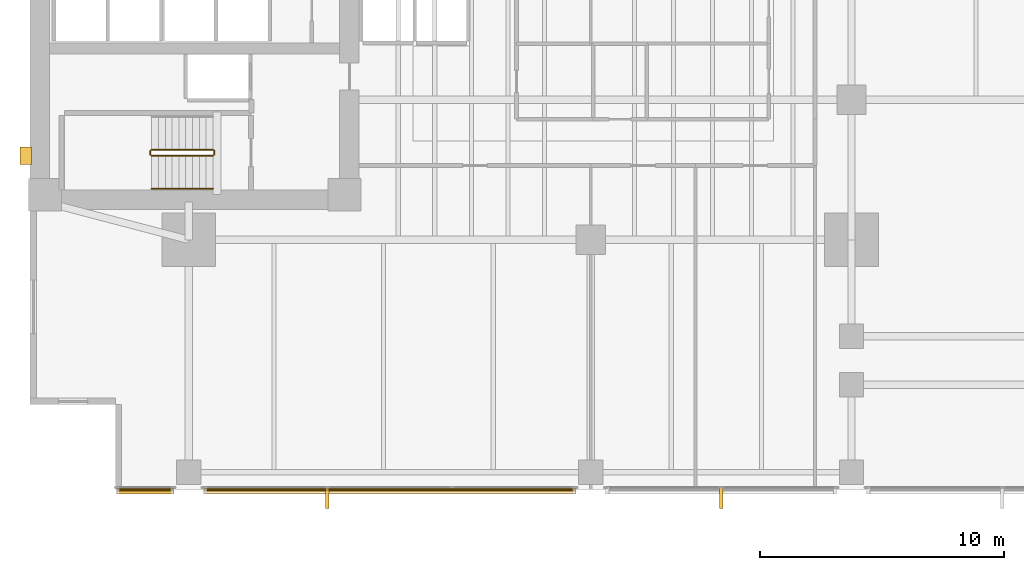
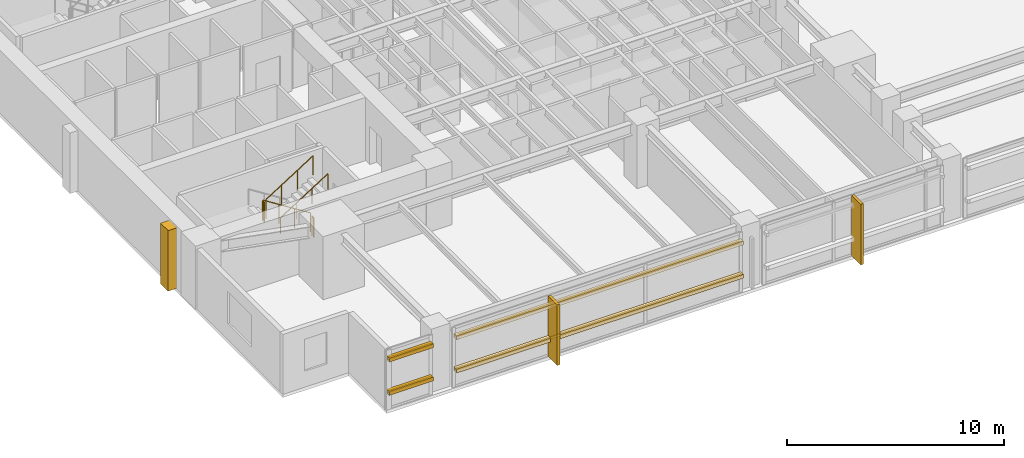
# One storey, part 12 of 15: 7 coverings, 5 railings, 4 shading devices.
"""IFC4 building model written with IfcOpenShell, lengths in metres."""

from ifc_helpers import new_model, si_unit, direction, frame, origin, origin_2d, place, context, subcontext, project, spatial, polyline, rectangle, circle, outline, extrude, material, layer, layer_set, material_profile, profile_set, type_object, element, save


model = new_model("IFC4")

# Units and contexts
model_context = context("Model", 3, precision=1e-05, world=origin(), true_north=direction((0.0, 1.0)))
body_context = subcontext(model_context, "Body", "Model", "MODEL_VIEW")
ifc_project = project(units=[si_unit("LENGTHUNIT", "METRE"), si_unit("AREAUNIT", "SQUARE_METRE"), si_unit("VOLUMEUNIT", "CUBIC_METRE"), si_unit("PLANEANGLEUNIT", "RADIAN"), si_unit("MASSUNIT", "GRAM", prefix="KILO")], contexts=[model_context])

# Site, building, storey
site_placement = place(None, origin())
site = spatial("IfcSite", under=ifc_project, at=site_placement, CompositionType="ELEMENT")
building_placement = place(site_placement, origin())
building = spatial("IfcBuilding", under=site, at=building_placement, Name="Kinhvarn Gate Tower", CompositionType="ELEMENT")
storey_placement = place(building_placement, frame((0.0, 0.0, 75.300048828125)))
storey = spatial("IfcBuildingStorey", under=building, at=storey_placement, Name="L19", CompositionType="ELEMENT", Elevation=75.300048828125)

# Coverings
ifc_material_1 = material(Name="Fired architectural terracotta", Category="masonry")
ifc_layer_1 = layer(ifc_material_1, 0.239990234375)
ifc_layer_set_1 = layer_set([ifc_layer_1], Name="Fired architectural terracotta")
covering_type_1 = type_object("IfcCoveringType", Name="COV-BAG-220", PredefinedType="CLADDING", material=ifc_layer_set_1)
for number, where, name in (
    (1, (0.0, 0.0, 0.93994140625), "Terracotta Horizontal Sunscreen Band TBG-220 (L19)"),
    (2, (0.0, 0.0, 2.81005859375), "Terracotta Horizontal Sunscreen Band TBG-220 (L19)"),
):
    element("IfcCovering", number, at=place(storey_placement, frame(where)), inside=storey, type_object=covering_type_1, Name=name, PredefinedType="CLADDING", context=body_context, shape_type="SweptSolid", body=[
        extrude(outline(polyline([(8.0400390625, 2.56005859375), (10.3798828125, 2.56005859375), (10.3798828125, 2.320068359375), (8.0400390625, 2.320068359375), (8.0400390625, 2.56005859375)])), origin(), (0.0, 0.0, 1.0), 0.219970703125),
    ])
for number, where, name in (
    (3, (0.0, 0.0, 0.93994140625), "Terracotta Horizontal Sunscreen Band TBG-220 (L19)"),
    (4, (0.0, 0.0, 2.81005859375), "Terracotta Horizontal Sunscreen Band TBG-220 (L19)"),
):
    element("IfcCovering", number, at=place(storey_placement, frame(where)), inside=storey, type_object=covering_type_1, Name=name, PredefinedType="CLADDING", context=body_context, shape_type="SweptSolid", body=[
        extrude(outline(polyline([(11.6201171875, 2.56005859375), (26.8798828125, 2.56005859375), (26.8798828125, 2.320068359375), (11.6201171875, 2.320068359375), (11.6201171875, 2.56005859375)])), origin(), (0.0, 0.0, 1.0), 0.219970703125),
    ])
ifc_layer_2 = layer(ifc_material_1, 0.139892578125)
ifc_layer_set_2 = layer_set([ifc_layer_2], Name="Fired architectural terracotta")
covering_type_2 = type_object("IfcCoveringType", Name="COV-FIN-850", PredefinedType="CLADDING", material=ifc_layer_set_2)
covering_1_placement = place(storey_placement, frame((0.0, 0.0, -0.02001953125)))
element("IfcCovering", 5, at=covering_1_placement, inside=storey, type_object=covering_type_2, Name="Vertical Terracotta Expressive Fin TFN-850 (L19)", PredefinedType="CLADDING", context=body_context, shape_type="SweptSolid", body=[
    extrude(outline(polyline([(16.623291015625, 2.570068359375), (16.76318359375, 2.570068359375), (16.76318359375, 1.719970703125), (16.623291015625, 1.719970703125), (16.623291015625, 2.570068359375)])), origin(), (0.0, 0.0, 1.0), 3.409912109375),
])
covering_2_placement = place(storey_placement, frame((0.0, 0.0, -0.02001953125)))
element("IfcCovering", 6, at=covering_2_placement, inside=storey, type_object=covering_type_2, Name="Vertical Terracotta Expressive Fin TFN-850 (L19)", PredefinedType="CLADDING", context=body_context, shape_type="SweptSolid", body=[
    extrude(outline(polyline([(32.780029296875, 2.570068359375), (32.919921875, 2.570068359375), (32.919921875, 1.719970703125), (32.780029296875, 1.719970703125), (32.780029296875, 2.570068359375)])), origin(), (0.0, 0.0, 1.0), 3.409912109375),
])
ifc_material_2 = material(Name="Precast white architectural concrete C40/50", Category="concrete")
ifc_layer_3 = layer(ifc_material_2, 0.47998046875)
ifc_layer_set_3 = layer_set([ifc_layer_3], Name="Precast white architectural concrete C40/50")
covering_type_3 = type_object("IfcCoveringType", Name="COV-RIB-450", PredefinedType="CLADDING", material=ifc_layer_set_3)
covering_3_placement = place(storey_placement, frame((0.0, 0.0, -0.02001953125)))
element("IfcCovering", 7, at=covering_3_placement, inside=storey, type_object=covering_type_3, Name="West Core Sculptural Concrete Relief Rib CRB-450 (L19)", PredefinedType="CLADDING", context=body_context, shape_type="SweptSolid", body=[
    extrude(outline(polyline([(4.080078125, 15.85009765625), (4.56005859375, 15.85009765625), (4.56005859375, 16.550048828125), (4.080078125, 16.550048828125), (4.080078125, 15.85009765625)])), origin(), (0.0, 0.0, 1.0), 3.409912109375),
])

# Railings
ifc_material_3 = material(Name="Steel S355", Category="steel")
railing_type_1 = type_object("IfcRailingType", Name="RL-ST-GRD", PredefinedType="BALUSTRADE", material=ifc_material_3)
railing_1_placement = place(storey_placement, frame((12.0, 16.449951171875, 0.177490234375)))
element("IfcRailing", 8, at=railing_1_placement, inside=storey, type_object=railing_type_1, Name="L19 ST1 stair guard 1", PredefinedType="BALUSTRADE", context=body_context, shape_type="SweptSolid", body=[
    extrude(circle(Radius=0.02392578125, at=origin_2d()), frame((0.0, 0.0, 1.076171875), z_axis=(-0.84460694969, 0.0, 0.535386869969), x_axis=(0.0, -1.0, 0.0)), (0.0, 0.0, 1.0), 2.983642578125),
    extrude(circle(Radius=0.02099609375, at=origin_2d()), origin(), (0.0, 0.0, 1.0), 1.052001953125),
    extrude(circle(Radius=0.02099609375, at=origin_2d()), frame((-0.840087890625, 0.0, 0.532470703125)), (0.0, 0.0, 1.0), 1.052001953125),
    extrude(circle(Radius=0.02099609375, at=origin_2d()), frame((-1.679931640625, 0.0, 1.06494140625)), (0.0, 0.0, 1.0), 1.052001953125),
    extrude(circle(Radius=0.02099609375, at=origin_2d()), frame((-2.52001953125, 0.0, 1.597412109375)), (0.0, 0.0, 1.0), 1.052001953125),
])
railing_2_placement = place(storey_placement, frame((9.429931640625, 16.39990234375, 1.77490234375)))
element("IfcRailing", 9, at=railing_2_placement, inside=storey, type_object=railing_type_1, Name="L19 ST1 stair guard 2", PredefinedType="BALUSTRADE", context=body_context, shape_type="SweptSolid", body=[
    extrude(circle(Radius=0.02392578125, at=origin_2d()), frame((0.0, 0.0, 1.076171875), z_axis=(0.0, -1.0, 0.0), x_axis=(1.0, 0.0, 0.0)), (0.0, 0.0, 1.0), 0.14990234375),
    extrude(circle(Radius=0.02099609375, at=origin_2d()), origin(), (0.0, 0.0, 1.0), 1.052001953125),
    extrude(circle(Radius=0.02099609375, at=origin_2d()), frame((0.0, -0.14990234375, 0.0)), (0.0, 0.0, 1.0), 1.052001953125),
])
railing_3_placement = place(storey_placement, frame((9.47998046875, 16.199951171875, 1.952392578125)))
element("IfcRailing", 10, at=railing_3_placement, inside=storey, type_object=railing_type_1, Name="L19 ST1 stair guard 3", PredefinedType="BALUSTRADE", context=body_context, shape_type="SweptSolid", body=[
    extrude(circle(Radius=0.02392578125, at=origin_2d()), frame((0.0, 0.0, 1.076171875), z_axis=(0.84456994832, 0.0, 0.535445237532), x_axis=(0.0, 1.0, 0.0)), (0.0, 0.0, 1.0), 2.98388671875),
    extrude(circle(Radius=0.02099609375, at=origin_2d()), origin(), (0.0, 0.0, 1.0), 1.052001953125),
    extrude(circle(Radius=0.02099609375, at=origin_2d()), frame((0.840087890625, 0.0, 0.532470703125)), (0.0, 0.0, 1.0), 1.052001953125),
    extrude(circle(Radius=0.02099609375, at=origin_2d()), frame((1.679931640625, 0.0, 1.065185546875)), (0.0, 0.0, 1.0), 1.052001953125),
    extrude(circle(Radius=0.02099609375, at=origin_2d()), frame((2.52001953125, 0.0, 1.59765625)), (0.0, 0.0, 1.0), 1.052001953125),
])
railing_4_placement = place(storey_placement, frame((12.050048828125, 16.39990234375, 0.0)))
element("IfcRailing", 11, at=railing_4_placement, inside=storey, type_object=railing_type_1, Name="L19 ST1 stair guard 4", PredefinedType="BALUSTRADE", context=body_context, shape_type="SweptSolid", body=[
    extrude(circle(Radius=0.02392578125, at=origin_2d()), frame((0.0, 0.0, 1.076171875), z_axis=(0.0, -1.0, 0.0), x_axis=(1.0, 0.0, 0.0)), (0.0, 0.0, 1.0), 0.14990234375),
    extrude(circle(Radius=0.02099609375, at=origin_2d()), origin(), (0.0, 0.0, 1.0), 1.052001953125),
    extrude(circle(Radius=0.02099609375, at=origin_2d()), frame((0.0, -0.14990234375, 0.0)), (0.0, 0.0, 1.0), 1.052001953125),
])
railing_type_2 = type_object("IfcRailingType", Name="RL-ST-HND", PredefinedType="HANDRAIL", material=ifc_material_3)
railing_5_placement = place(storey_placement, frame((9.47998046875, 14.85009765625, 1.952392578125)))
element("IfcRailing", 12, at=railing_5_placement, inside=storey, type_object=railing_type_2, Name="L19 ST1 stair handrail 2", PredefinedType="HANDRAIL", context=body_context, shape_type="SweptSolid", body=[
    extrude(circle(Radius=0.02392578125, at=origin_2d()), frame((0.0, 0.0, 0.8759765625), z_axis=(0.84456994832, 0.0, 0.535445237532), x_axis=(0.0, 1.0, 0.0)), (0.0, 0.0, 1.0), 2.98388671875),
    extrude(circle(Radius=0.02099609375, at=origin_2d()), origin(), (0.0, 0.0, 1.0), 0.851806640625),
    extrude(circle(Radius=0.02099609375, at=origin_2d()), frame((0.840087890625, 0.0, 0.532470703125)), (0.0, 0.0, 1.0), 0.851806640625),
    extrude(circle(Radius=0.02099609375, at=origin_2d()), frame((1.679931640625, 0.0, 1.065185546875)), (0.0, 0.0, 1.0), 0.851806640625),
    extrude(circle(Radius=0.02099609375, at=origin_2d()), frame((2.52001953125, 0.0, 1.59765625)), (0.0, 0.0, 1.0), 0.851806640625),
])

# Shading devices
ifc_material_profile = material_profile(ifc_material_1, rectangle(XDim=0.06005859375, YDim=0.139892578125, at=origin_2d()), Name="TC 60x140")
ifc_profile_set = profile_set([ifc_material_profile], Name="Fired architectural terracotta")
shading_device_type = type_object("IfcShadingDeviceType", Name="SHD-BAG-180", PredefinedType="USERDEFINED", material=ifc_profile_set)
for number, where, z_axis, x_axis, name in (
    (13, (8.0400390625, 2.485107421875, 1.050048828125), (1.0, 0.0, 0.0), (0.0, 1.0, 0.0), "Fired Terracotta Baguette Screen Rod 60x140 mm (L19)"),
    (14, (8.0400390625, 2.485107421875, 2.919921875), (1.0, 0.0, 0.0), (0.0, 1.0, 0.0), "Fired Terracotta Baguette Screen Rod 60x140 mm (L19)"),
):
    element("IfcShadingDevice", number, at=place(storey_placement, frame(where, z_axis=z_axis, x_axis=x_axis)), inside=storey, type_object=shading_device_type, Name=name, ObjectType="BAGUETTE", PredefinedType="USERDEFINED", context=body_context, shape_type="SweptSolid", body=[
        extrude(rectangle(XDim=0.06005859375, YDim=0.139892578125, at=origin_2d()), origin(), (0.0, 0.0, 1.0), 2.33984375),
    ])
for number, where, z_axis, x_axis, name in (
    (15, (11.6201171875, 2.485107421875, 1.050048828125), (1.0, 0.0, 0.0), (0.0, 1.0, 0.0), "Fired Terracotta Baguette Screen Rod 60x140 mm (L19)"),
    (16, (11.6201171875, 2.485107421875, 2.919921875), (1.0, 0.0, 0.0), (0.0, 1.0, 0.0), "Fired Terracotta Baguette Screen Rod 60x140 mm (L19)"),
):
    element("IfcShadingDevice", number, at=place(storey_placement, frame(where, z_axis=z_axis, x_axis=x_axis)), inside=storey, type_object=shading_device_type, Name=name, ObjectType="BAGUETTE", PredefinedType="USERDEFINED", context=body_context, shape_type="SweptSolid", body=[
        extrude(rectangle(XDim=0.06005859375, YDim=0.139892578125, at=origin_2d()), origin(), (0.0, 0.0, 1.0), 15.259765625),
    ])

save(model, "model.ifc")
